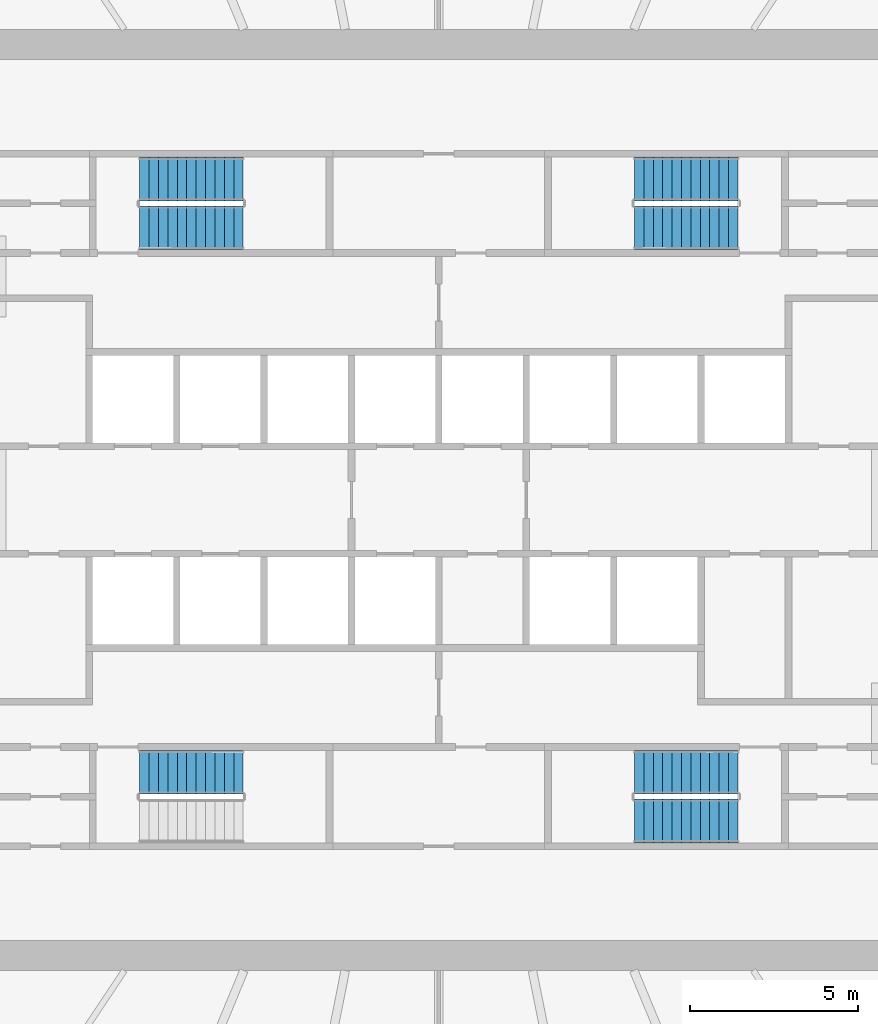
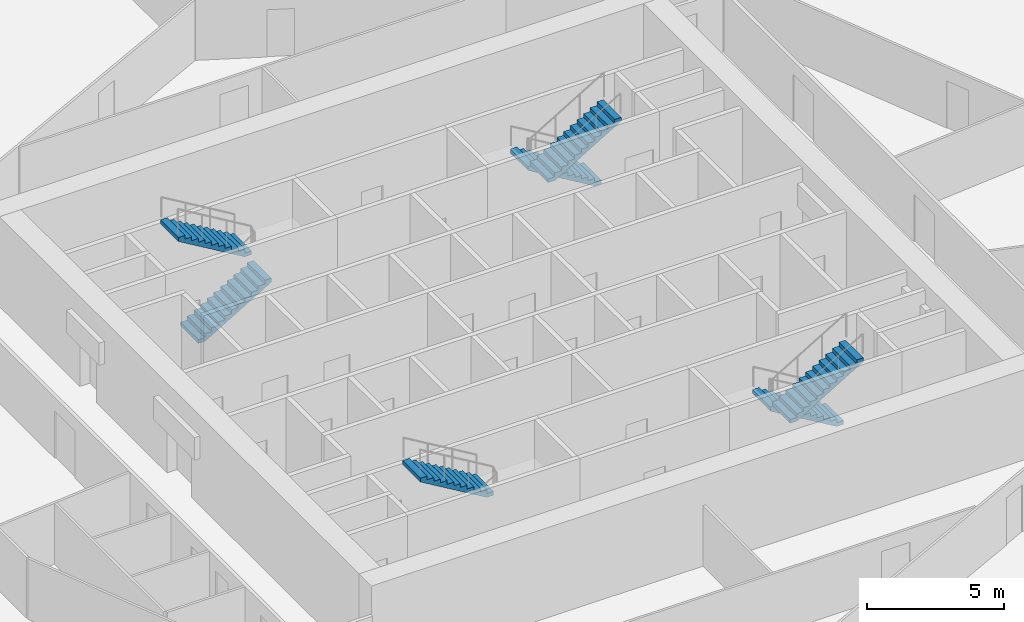
# One storey, part 8 of 9: 7 stair flights, 4 elements without a shape of their own.
"""IFC4 building model written with IfcOpenShell, lengths in metres."""

from ifc_helpers import new_model, si_unit, direction, frame, origin, place, context, subcontext, project, spatial, polyline, outline, extrude, material, type_object, element, aggregate, save


model = new_model("IFC4")

# Units and contexts
model_context = context("Model", 3, precision=1e-05, world=origin(), true_north=direction((0.0, 1.0)))
body_context = subcontext(model_context, "Body", "Model", "MODEL_VIEW")
ifc_project = project(units=[si_unit("LENGTHUNIT", "METRE"), si_unit("AREAUNIT", "SQUARE_METRE"), si_unit("VOLUMEUNIT", "CUBIC_METRE"), si_unit("PLANEANGLEUNIT", "RADIAN"), si_unit("MASSUNIT", "GRAM", prefix="KILO")], contexts=[model_context])

# Site, building, storey
site_placement = place(None, origin())
site = spatial("IfcSite", under=ifc_project, at=site_placement, CompositionType="ELEMENT")
building_placement = place(site_placement, origin())
building = spatial("IfcBuilding", under=site, at=building_placement, Name="Corvane Civic Tower", CompositionType="ELEMENT")
storey_placement = place(building_placement, frame((0.0, 0.0, 172.0)))
storey = spatial("IfcBuildingStorey", under=building, at=storey_placement, Name="L40", CompositionType="ELEMENT", Elevation=172.0)

# Stair, stair flights
ifc_material_1 = material(Name="Concrete C40/50", Category="concrete")
stair_type = type_object("IfcStairType", Name="ST-STAIR-HALFTURN", PredefinedType="HALF_TURN_STAIR", material=ifc_material_1)
stair_1_placement = place(storey_placement, origin())
stair_1 = element("IfcStair", 1, at=stair_1_placement, inside=storey, type_object=stair_type, Name="L40 Exit stair ST1", PredefinedType="HALF_TURN_STAIR")
ifc_material_2 = material(Name="Concrete C40/50", Category="concrete")
stair_flight_type = type_object("IfcStairFlightType", Name="ST-FLIGHT-RC", PredefinedType="STRAIGHT", material=ifc_material_2)
stair_flight_1_placement = place(storey_placement, frame((8.89990234375, 9.550048828125, 0.0), z_axis=(0.0, 0.0, 1.0), x_axis=(-1.0, 0.0, 0.0)))
stair_flight_1 = element("IfcStairFlight", 2, at=stair_flight_1_placement, type_object=stair_flight_type, Name="ST1 flight 1", NumberOfRisers=12, NumberOfTreads=11, PredefinedType="STRAIGHT", RiserHeight=0.166666667, TreadLength=0.28, context=body_context, shape_type="SweptSolid", body=[
    extrude(outline(polyline([(0.0, 0.0), (0.0, 0.166748046875), (0.280029296875, 0.166748046875), (0.280029296875, 0.333251953125), (0.56005859375, 0.333251953125), (0.56005859375, 0.5), (0.840087890625, 0.5), (0.840087890625, 0.666748046875), (1.1201171875, 0.666748046875), (1.1201171875, 0.833251953125), (1.39990234375, 0.833251953125), (1.39990234375, 1.0), (1.679931640625, 1.0), (1.679931640625, 1.166748046875), (1.9599609375, 1.166748046875), (1.9599609375, 1.333251953125), (2.239990234375, 1.333251953125), (2.239990234375, 1.5), (2.52001953125, 1.5), (2.52001953125, 1.666748046875), (2.800048828125, 1.666748046875), (2.800048828125, 1.833251953125), (3.080078125, 1.833251953125), (3.080078125, 2.0), (3.080078125, 1.658935546875), (0.29296875, 0.0), (0.0, 0.0)])), frame((0.0, 0.64990234375, 0.0), z_axis=(0.0, -1.0, 0.0), x_axis=(1.0, 0.0, 0.0)), (0.0, 0.0, 1.0), 1.300048828125),
])
stair_flight_2_placement = place(storey_placement, frame((5.820068359375, 8.10009765625, 2.0), z_axis=(0.0, 0.0, 1.0), x_axis=(1.0, 0.0, 0.0)))
stair_flight_2 = element("IfcStairFlight", 3, at=stair_flight_2_placement, type_object=stair_flight_type, Name="ST1 flight 2", NumberOfRisers=12, NumberOfTreads=11, PredefinedType="STRAIGHT", RiserHeight=0.166666667, TreadLength=0.28, context=body_context, shape_type="SweptSolid", body=[
    extrude(outline(polyline([(0.0, 0.0), (0.0, 0.166748046875), (0.280029296875, 0.166748046875), (0.280029296875, 0.333251953125), (0.56005859375, 0.333251953125), (0.56005859375, 0.5), (0.840087890625, 0.5), (0.840087890625, 0.666748046875), (1.1201171875, 0.666748046875), (1.1201171875, 0.833251953125), (1.39990234375, 0.833251953125), (1.39990234375, 1.0), (1.679931640625, 1.0), (1.679931640625, 1.166748046875), (1.9599609375, 1.166748046875), (1.9599609375, 1.333251953125), (2.239990234375, 1.333251953125), (2.239990234375, 1.5), (2.52001953125, 1.5), (2.52001953125, 1.666748046875), (2.800048828125, 1.666748046875), (2.800048828125, 1.833251953125), (3.080078125, 1.833251953125), (3.080078125, 2.0), (3.080078125, 1.658935546875), (0.29296875, 0.0), (0.0, 0.0)])), frame((0.0, 0.64990234375, 0.0), z_axis=(0.0, -1.0, 0.0), x_axis=(1.0, 0.0, 0.0)), (0.0, 0.0, 1.0), 1.300048828125),
])
aggregate(stair_1, [stair_flight_1, stair_flight_2])

stair_2_placement = place(storey_placement, origin())
stair_2 = element("IfcStair", 4, at=stair_2_placement, inside=storey, type_object=stair_type, Name="L40 Exit stair ST2", PredefinedType="HALF_TURN_STAIR")
stair_flight_3_placement = place(storey_placement, frame((8.89990234375, -8.10009765625, 0.0), z_axis=(0.0, 0.0, 1.0), x_axis=(-1.0, 0.0, 0.0)))
stair_flight_3 = element("IfcStairFlight", 5, at=stair_flight_3_placement, type_object=stair_flight_type, Name="ST2 flight 1", NumberOfRisers=12, NumberOfTreads=11, PredefinedType="STRAIGHT", RiserHeight=0.166666667, TreadLength=0.28, context=body_context, shape_type="SweptSolid", body=[
    extrude(outline(polyline([(0.0, 0.0), (0.0, 0.166748046875), (0.280029296875, 0.166748046875), (0.280029296875, 0.333251953125), (0.56005859375, 0.333251953125), (0.56005859375, 0.5), (0.840087890625, 0.5), (0.840087890625, 0.666748046875), (1.1201171875, 0.666748046875), (1.1201171875, 0.833251953125), (1.39990234375, 0.833251953125), (1.39990234375, 1.0), (1.679931640625, 1.0), (1.679931640625, 1.166748046875), (1.9599609375, 1.166748046875), (1.9599609375, 1.333251953125), (2.239990234375, 1.333251953125), (2.239990234375, 1.5), (2.52001953125, 1.5), (2.52001953125, 1.666748046875), (2.800048828125, 1.666748046875), (2.800048828125, 1.833251953125), (3.080078125, 1.833251953125), (3.080078125, 2.0), (3.080078125, 1.658935546875), (0.29296875, 0.0), (0.0, 0.0)])), frame((0.0, 0.64990234375, 0.0), z_axis=(0.0, -1.0, 0.0), x_axis=(1.0, 0.0, 0.0)), (0.0, 0.0, 1.0), 1.300048828125),
])
stair_flight_4_placement = place(storey_placement, frame((5.820068359375, -9.550048828125, 2.0), z_axis=(0.0, 0.0, 1.0), x_axis=(1.0, 0.0, 0.0)))
stair_flight_4 = element("IfcStairFlight", 6, at=stair_flight_4_placement, type_object=stair_flight_type, Name="ST2 flight 2", NumberOfRisers=12, NumberOfTreads=11, PredefinedType="STRAIGHT", RiserHeight=0.166666667, TreadLength=0.28, context=body_context, shape_type="SweptSolid", body=[
    extrude(outline(polyline([(0.0, 0.0), (0.0, 0.166748046875), (0.280029296875, 0.166748046875), (0.280029296875, 0.333251953125), (0.56005859375, 0.333251953125), (0.56005859375, 0.5), (0.840087890625, 0.5), (0.840087890625, 0.666748046875), (1.1201171875, 0.666748046875), (1.1201171875, 0.833251953125), (1.39990234375, 0.833251953125), (1.39990234375, 1.0), (1.679931640625, 1.0), (1.679931640625, 1.166748046875), (1.9599609375, 1.166748046875), (1.9599609375, 1.333251953125), (2.239990234375, 1.333251953125), (2.239990234375, 1.5), (2.52001953125, 1.5), (2.52001953125, 1.666748046875), (2.800048828125, 1.666748046875), (2.800048828125, 1.833251953125), (3.080078125, 1.833251953125), (3.080078125, 2.0), (3.080078125, 1.658935546875), (0.29296875, 0.0), (0.0, 0.0)])), frame((0.0, 0.64990234375, 0.0), z_axis=(0.0, -1.0, 0.0), x_axis=(1.0, 0.0, 0.0)), (0.0, 0.0, 1.0), 1.300048828125),
])
aggregate(stair_2, [stair_flight_3, stair_flight_4])

# Stair, stair flight
stair_3_placement = place(storey_placement, origin())
stair_3 = element("IfcStair", 7, at=stair_3_placement, inside=storey, type_object=stair_type, Name="L40 Exit stair ST3", PredefinedType="HALF_TURN_STAIR")
stair_flight_5_placement = place(storey_placement, frame((-5.820068359375, -8.10009765625, 2.0), z_axis=(0.0, 0.0, 1.0), x_axis=(-1.0, 0.0, 0.0)))
stair_flight_5 = element("IfcStairFlight", 8, at=stair_flight_5_placement, type_object=stair_flight_type, Name="ST3 flight 2", NumberOfRisers=12, NumberOfTreads=11, PredefinedType="STRAIGHT", RiserHeight=0.166666667, TreadLength=0.28, context=body_context, shape_type="SweptSolid", body=[
    extrude(outline(polyline([(0.0, 0.0), (0.0, 0.166748046875), (0.280029296875, 0.166748046875), (0.280029296875, 0.333251953125), (0.56005859375, 0.333251953125), (0.56005859375, 0.5), (0.840087890625, 0.5), (0.840087890625, 0.666748046875), (1.1201171875, 0.666748046875), (1.1201171875, 0.833251953125), (1.39990234375, 0.833251953125), (1.39990234375, 1.0), (1.679931640625, 1.0), (1.679931640625, 1.166748046875), (1.9599609375, 1.166748046875), (1.9599609375, 1.333251953125), (2.239990234375, 1.333251953125), (2.239990234375, 1.5), (2.52001953125, 1.5), (2.52001953125, 1.666748046875), (2.800048828125, 1.666748046875), (2.800048828125, 1.833251953125), (3.080078125, 1.833251953125), (3.080078125, 2.0), (3.080078125, 1.658935546875), (0.29296875, 0.0), (0.0, 0.0)])), frame((0.0, 0.64990234375, 0.0), z_axis=(0.0, -1.0, 0.0), x_axis=(1.0, 0.0, 0.0)), (0.0, 0.0, 1.0), 1.300048828125),
])
aggregate(stair_3, [stair_flight_5])

# Stair, stair flights
stair_4_placement = place(storey_placement, origin())
stair_4 = element("IfcStair", 9, at=stair_4_placement, inside=storey, type_object=stair_type, Name="L40 Exit stair ST4", PredefinedType="HALF_TURN_STAIR")
stair_flight_6_placement = place(storey_placement, frame((-8.89990234375, 8.10009765625, 0.0), z_axis=(0.0, 0.0, 1.0), x_axis=(1.0, 0.0, 0.0)))
stair_flight_6 = element("IfcStairFlight", 10, at=stair_flight_6_placement, type_object=stair_flight_type, Name="ST4 flight 1", NumberOfRisers=12, NumberOfTreads=11, PredefinedType="STRAIGHT", RiserHeight=0.166666667, TreadLength=0.28, context=body_context, shape_type="SweptSolid", body=[
    extrude(outline(polyline([(0.0, 0.0), (0.0, 0.166748046875), (0.280029296875, 0.166748046875), (0.280029296875, 0.333251953125), (0.56005859375, 0.333251953125), (0.56005859375, 0.5), (0.840087890625, 0.5), (0.840087890625, 0.666748046875), (1.1201171875, 0.666748046875), (1.1201171875, 0.833251953125), (1.39990234375, 0.833251953125), (1.39990234375, 1.0), (1.679931640625, 1.0), (1.679931640625, 1.166748046875), (1.9599609375, 1.166748046875), (1.9599609375, 1.333251953125), (2.239990234375, 1.333251953125), (2.239990234375, 1.5), (2.52001953125, 1.5), (2.52001953125, 1.666748046875), (2.800048828125, 1.666748046875), (2.800048828125, 1.833251953125), (3.080078125, 1.833251953125), (3.080078125, 2.0), (3.080078125, 1.658935546875), (0.29296875, 0.0), (0.0, 0.0)])), frame((0.0, 0.64990234375, 0.0), z_axis=(0.0, -1.0, 0.0), x_axis=(1.0, 0.0, 0.0)), (0.0, 0.0, 1.0), 1.300048828125),
])
stair_flight_7_placement = place(storey_placement, frame((-5.820068359375, 9.550048828125, 2.0), z_axis=(0.0, 0.0, 1.0), x_axis=(-1.0, 0.0, 0.0)))
stair_flight_7 = element("IfcStairFlight", 11, at=stair_flight_7_placement, type_object=stair_flight_type, Name="ST4 flight 2", NumberOfRisers=12, NumberOfTreads=11, PredefinedType="STRAIGHT", RiserHeight=0.166666667, TreadLength=0.28, context=body_context, shape_type="SweptSolid", body=[
    extrude(outline(polyline([(0.0, 0.0), (0.0, 0.166748046875), (0.280029296875, 0.166748046875), (0.280029296875, 0.333251953125), (0.56005859375, 0.333251953125), (0.56005859375, 0.5), (0.840087890625, 0.5), (0.840087890625, 0.666748046875), (1.1201171875, 0.666748046875), (1.1201171875, 0.833251953125), (1.39990234375, 0.833251953125), (1.39990234375, 1.0), (1.679931640625, 1.0), (1.679931640625, 1.166748046875), (1.9599609375, 1.166748046875), (1.9599609375, 1.333251953125), (2.239990234375, 1.333251953125), (2.239990234375, 1.5), (2.52001953125, 1.5), (2.52001953125, 1.666748046875), (2.800048828125, 1.666748046875), (2.800048828125, 1.833251953125), (3.080078125, 1.833251953125), (3.080078125, 2.0), (3.080078125, 1.658935546875), (0.29296875, 0.0), (0.0, 0.0)])), frame((0.0, 0.64990234375, 0.0), z_axis=(0.0, -1.0, 0.0), x_axis=(1.0, 0.0, 0.0)), (0.0, 0.0, 1.0), 1.300048828125),
])
aggregate(stair_4, [stair_flight_6, stair_flight_7])

save(model, "model.ifc")
